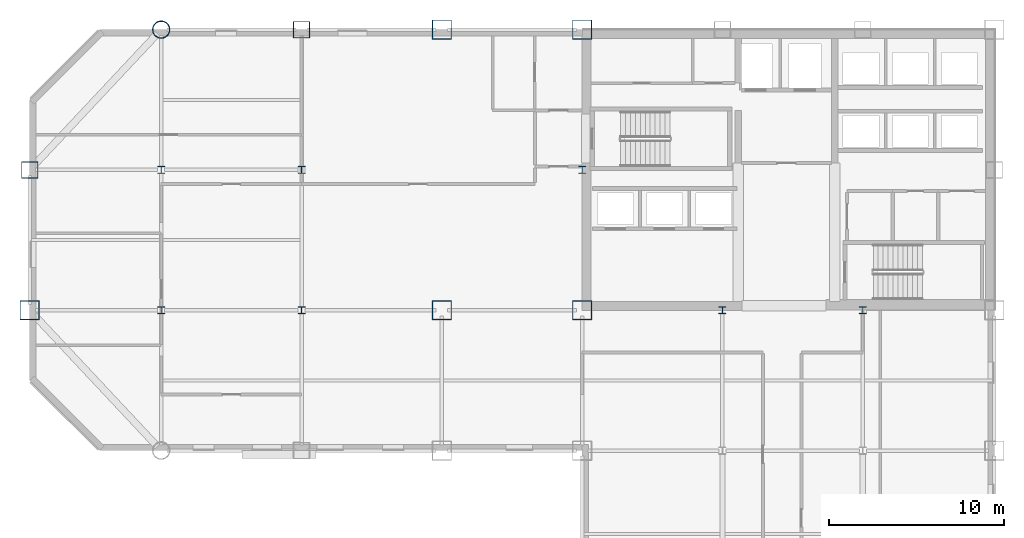
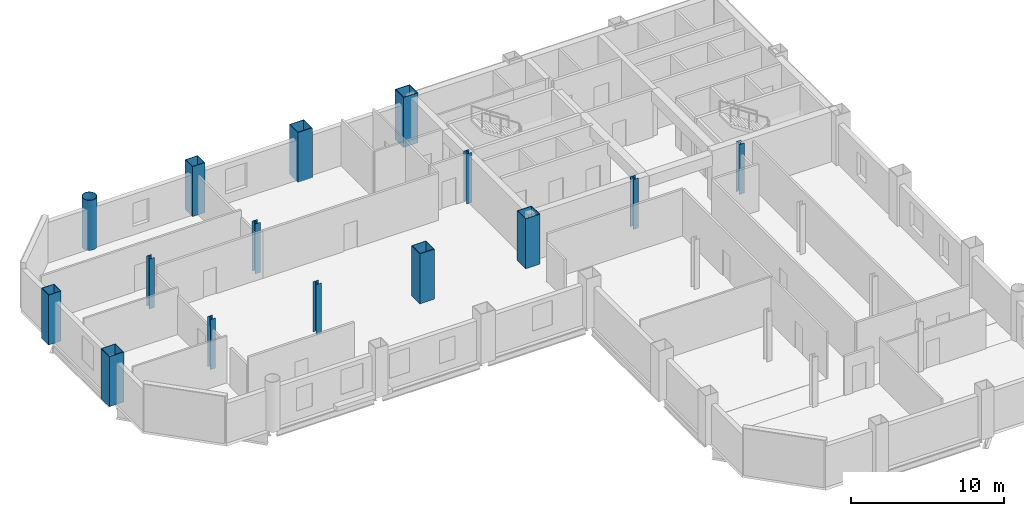
# One storey, part 3 of 10: 15 columns.
"""IFC4 building model written with IfcOpenShell, lengths in metres."""

from ifc_helpers import new_model, si_unit, direction, frame, origin, origin_2d, place, context, subcontext, project, spatial, hollow_rectangle, hollow_circle, i_section, extrude, material, material_profile, profile_set, type_object, element, save


model = new_model("IFC4")

# Units and contexts
model_context = context("Model", 3, precision=1e-05, world=origin(), true_north=direction((0.0, 1.0)))
body_context = subcontext(model_context, "Body", "Model", "MODEL_VIEW")
ifc_project = project(units=[si_unit("LENGTHUNIT", "METRE"), si_unit("AREAUNIT", "SQUARE_METRE"), si_unit("VOLUMEUNIT", "CUBIC_METRE"), si_unit("PLANEANGLEUNIT", "RADIAN"), si_unit("MASSUNIT", "GRAM", prefix="KILO")], contexts=[model_context])

# Site, building, storey
site_placement = place(None, origin())
site = spatial("IfcSite", under=ifc_project, at=site_placement, CompositionType="ELEMENT")
building_placement = place(site_placement, origin())
building = spatial("IfcBuilding", under=site, at=building_placement, Name="Qianrong Seaharbour Tower", CompositionType="ELEMENT")
storey_placement = place(building_placement, frame((0.0, 0.0, 159.0)))
storey = spatial("IfcBuildingStorey", under=building, at=storey_placement, Name="L38", CompositionType="ELEMENT", Elevation=159.0)

# Columns
ifc_material = material(Name="Structural steel SN490B", Category="steel")
ifc_material_profile_1 = material_profile(ifc_material, hollow_rectangle(XDim=1.10009765625, YDim=1.10009765625, WallThickness=0.0400390625, at=origin_2d()), Name="BOX1100x1100x40")
ifc_profile_set_1 = profile_set([ifc_material_profile_1], Name="Structural steel SN490B")
column_type_1 = type_object("IfcColumnType", Name="COL-CFT-1100", PredefinedType="COLUMN", material=ifc_profile_set_1)
for number, where, z_axis, x_axis, name in (
    (1, (9.0, 36.0, 0.0), (0.0, 0.0, 1.0), (1.0, 0.0, 0.0), "L38 Column MC-3 at G2/GF"),
    (2, (32.5, 36.0, 0.0), (0.0, 0.0, 1.0), (1.0, 0.0, 0.0), "L38 Column MC-3 at G5/GF"),
    (3, (32.5, 52.0, 0.0), (0.0, 0.0, 1.0), (1.0, 0.0, 0.0), "L38 Column MC-3 at G5/GH"),
    (4, (40.5, 36.0, 0.0), (0.0, 0.0, 1.0), (1.0, 0.0, 0.0), "L38 Column MC-3 at G6/GF"),
    (5, (40.5, 52.0, 0.0), (0.0, 0.0, 1.0), (1.0, 0.0, 0.0), "L38 Column MC-3 at G6/GH"),
):
    element("IfcColumn", number, at=place(storey_placement, frame(where, z_axis=z_axis, x_axis=x_axis)), inside=storey, type_object=column_type_1, Name=name, PredefinedType="COLUMN", context=body_context, shape_type="SweptSolid", body=[
        extrude(hollow_rectangle(XDim=1.10009765625, YDim=1.10009765625, WallThickness=0.0400390625, at=origin_2d()), origin(), (0.0, 0.0, 1.0), 4.0),
    ])
ifc_material_profile_2 = material_profile(ifc_material, hollow_circle(Radius=0.5, WallThickness=0.035888671875, at=origin_2d()), Name="CHS1000x36")
ifc_profile_set_2 = profile_set([ifc_material_profile_2], Name="Structural steel SN490B")
column_type_2 = type_object("IfcColumnType", Name="COL-CHS-1000", PredefinedType="COLUMN", material=ifc_profile_set_2)
column_placement = place(storey_placement, frame((16.5, 52.0, 0.0), z_axis=(0.0, 0.0, 1.0), x_axis=(1.0, 0.0, 0.0)))
element("IfcColumn", 6, at=column_placement, inside=storey, type_object=column_type_2, Name="L38 Column CC-2 at G3/GH", PredefinedType="COLUMN", context=body_context, shape_type="SweptSolid", body=[
    extrude(hollow_circle(Radius=0.5, WallThickness=0.035888671875, at=origin_2d()), origin(), (0.0, 0.0, 1.0), 4.0),
])
ifc_material_profile_3 = material_profile(ifc_material, i_section(OverallWidth=0.39990234375, OverallDepth=0.39990234375, WebThickness=0.012939453125, FlangeThickness=0.02099609375, FilletRadius=0.02197265625, at=origin_2d()), Name="H400x400x13x21")
ifc_profile_set_3 = profile_set([ifc_material_profile_3], Name="Structural steel SN490B")
column_type_3 = type_object("IfcColumnType", Name="COL-INT-H400", PredefinedType="COLUMN", material=ifc_profile_set_3)
for number, where, z_axis, x_axis, name in (
    (7, (16.5, 36.0, 0.0), (0.0, 0.0, 1.0), (1.0, 0.0, 0.0), "L38 Column IC-3 at G3/GF"),
    (8, (16.5, 44.0, 0.0), (0.0, 0.0, 1.0), (1.0, 0.0, 0.0), "L38 Column IC-3 at G3/GG"),
    (9, (24.5, 36.0, 0.0), (0.0, 0.0, 1.0), (1.0, 0.0, 0.0), "L38 Column IC-3 at G4/GF"),
    (10, (24.5, 44.0, 0.0), (0.0, 0.0, 1.0), (1.0, 0.0, 0.0), "L38 Column IC-3 at G4/GG"),
    (11, (40.5, 44.0, 0.0), (0.0, 0.0, 1.0), (1.0, 0.0, 0.0), "L38 Column IC-3 at G6/GG"),
    (12, (48.5, 36.0, 0.0), (0.0, 0.0, 1.0), (1.0, 0.0, 0.0), "L38 Column IC-3 at G7/GF"),
    (13, (56.5, 36.0, 0.0), (0.0, 0.0, 1.0), (1.0, 0.0, 0.0), "L38 Column IC-3 at G8/GF"),
):
    element("IfcColumn", number, at=place(storey_placement, frame(where, z_axis=z_axis, x_axis=x_axis)), inside=storey, type_object=column_type_3, Name=name, PredefinedType="COLUMN", context=body_context, shape_type="SweptSolid", body=[
        extrude(i_section(OverallWidth=0.39990234375, OverallDepth=0.39990234375, WebThickness=0.012939453125, FlangeThickness=0.02099609375, FilletRadius=0.02197265625, at=origin_2d()), origin(), (0.0, 0.0, 1.0), 4.0),
    ])
ifc_material_profile_4 = material_profile(ifc_material, hollow_rectangle(XDim=0.949951171875, YDim=0.949951171875, WallThickness=0.035888671875, at=origin_2d()), Name="BOX950x950x36")
ifc_profile_set_4 = profile_set([ifc_material_profile_4], Name="Structural steel SN490B")
column_type_4 = type_object("IfcColumnType", Name="COL-PER-950", PredefinedType="COLUMN", material=ifc_profile_set_4)
for number, where, z_axis, x_axis, name in (
    (14, (9.0, 44.0, 0.0), (0.0, 0.0, 1.0), (1.0, 0.0, 0.0), "L38 Column PC-2 at G2/GG"),
    (15, (24.5, 52.0, 0.0), (0.0, 0.0, 1.0), (1.0, 0.0, 0.0), "L38 Column PC-2 at G4/GH"),
):
    element("IfcColumn", number, at=place(storey_placement, frame(where, z_axis=z_axis, x_axis=x_axis)), inside=storey, type_object=column_type_4, Name=name, PredefinedType="COLUMN", context=body_context, shape_type="SweptSolid", body=[
        extrude(hollow_rectangle(XDim=0.949951171875, YDim=0.949951171875, WallThickness=0.035888671875, at=origin_2d()), origin(), (0.0, 0.0, 1.0), 4.0),
    ])

save(model, "model.ifc")
